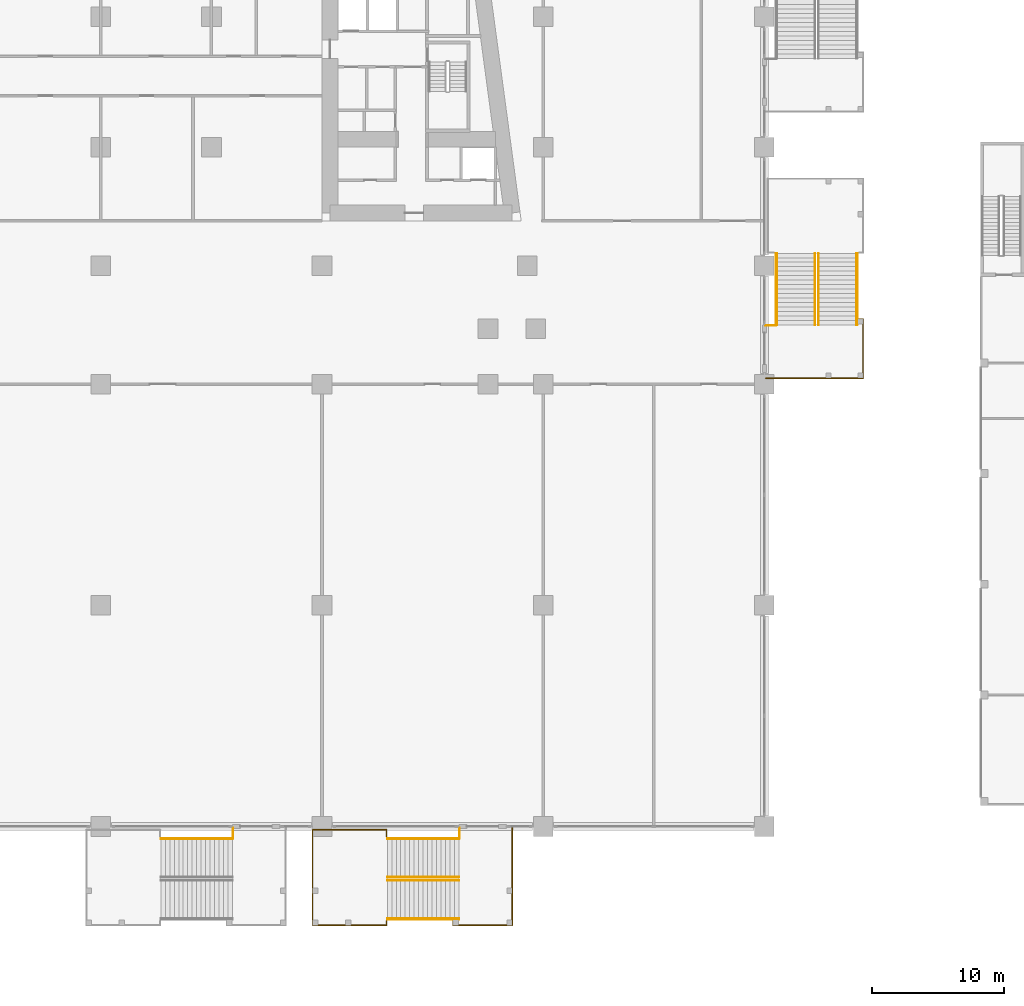
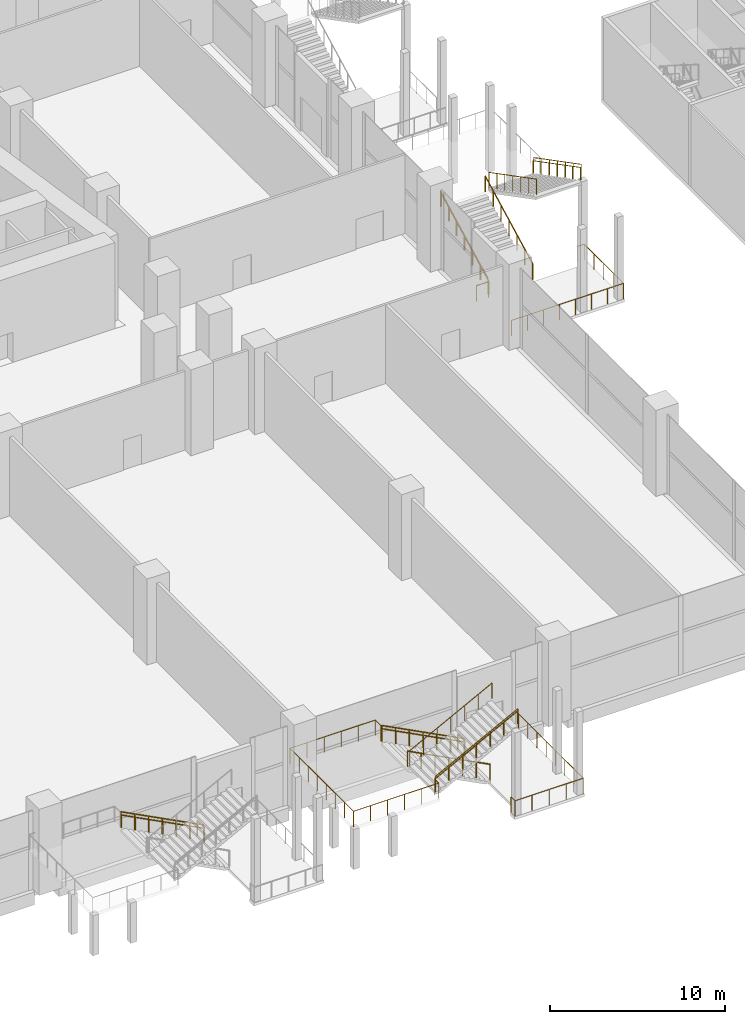
# One storey, part 38 of 49: 20 railings.
"""IFC4 building model written with IfcOpenShell, lengths in metres."""

import ifcopenshell
import ifcopenshell.guid

model = None  # the IFC model being written
_history = None  # IfcOwnerHistory: only IFC2X3 demands one
_inside = {}  # id of a spatial element -> (the spatial element, [elements in it])
_under = {}  # id of a project, library or spatial element -> (it, [spatial elements below it])
_declared = {}  # id of a project -> (the project, [libraries it declares])
_typed = {}  # id of a type object -> (the type object, [elements of that type])
_made_of = {}  # id of a material, layer set ... -> (it, [elements and type objects made of it])


def new_model(schema):
    """Start an empty IFC model of exactly this schema.

    Asked for "IFC4X3", IfcOpenShell would pick the latest addendum, in which some entities
    have other attributes; the version numbers below select the first issue.
    IFC2X3 requires an IfcOwnerHistory on every rooted entity: one is made here for all.
    """
    global model, _history
    if schema == "IFC4X3":
        model = ifcopenshell.file(schema_version=(4, 3, 0, 0))
    else:
        model = ifcopenshell.file(schema=schema)
    _inside.clear()
    _under.clear()
    _declared.clear()
    _typed.clear()
    _made_of.clear()
    _history = None
    if model.schema == "IFC2X3":
        org = make("IfcOrganization", Name="unknown")
        user = make(
            "IfcPersonAndOrganization",
            ThePerson=make("IfcPerson", FamilyName="unknown"),
            TheOrganization=org,
        )
        app = make(
            "IfcApplication",
            ApplicationDeveloper=org,
            Version="unknown",
            ApplicationFullName="unknown",
            ApplicationIdentifier="unknown",
        )
        _history = make(
            "IfcOwnerHistory",
            OwningUser=user,
            OwningApplication=app,
            ChangeAction="ADDED",
            CreationDate=0,
        )
    return model


def make(cls, **values):
    """One entity of the class cls with the attributes given. An attribute that is None is left unset."""
    return model.create_entity(
        cls, **{name: value for name, value in values.items() if value is not None}
    )


def rooted(cls, **values):
    """An entity with a GlobalId (a new one), such as an element, a storey or a relation."""
    return make(cls, GlobalId=ifcopenshell.guid.new(), OwnerHistory=_history, **values)


def si_unit(unit_type, name, prefix=None):
    """IfcSIUnit, for example si_unit("LENGTHUNIT", "METRE", prefix="MILLI")."""
    return make("IfcSIUnit", UnitType=unit_type, Prefix=prefix, Name=name)


def assignment(units):
    """IfcUnitAssignment: the units of a project."""
    return None if units is None else make("IfcUnitAssignment", Units=units)


def point(xyz):
    """IfcCartesianPoint."""
    return None if xyz is None else make("IfcCartesianPoint", Coordinates=xyz)


def direction(xyz):
    """IfcDirection."""
    return None if xyz is None else make("IfcDirection", DirectionRatios=xyz)


def frame(location, z_axis=None, x_axis=None):
    """IfcAxis2Placement3D, a coordinate frame: its origin and axes. An axis left out is left unset."""
    return make(
        "IfcAxis2Placement3D",
        Location=point(location),
        Axis=direction(z_axis),
        RefDirection=direction(x_axis),
    )


def frame_2d(location, x_axis=None):
    """IfcAxis2Placement2D, a coordinate frame in the plane: its origin and x axis."""
    return make(
        "IfcAxis2Placement2D", Location=point(location), RefDirection=direction(x_axis)
    )


def origin():
    """The frame at (0, 0, 0) with its axes left unset."""
    return frame((0.0, 0.0, 0.0))


def origin_2d():
    """The frame at (0, 0) in the plane with its x axis left unset."""
    return frame_2d((0.0, 0.0))


def place(relative_to, where):
    """IfcLocalPlacement: puts the frame where relative to a parent placement (None: the world)."""
    return make(
        "IfcLocalPlacement", PlacementRelTo=relative_to, RelativePlacement=where
    )


def context(
    kind, dimensions, precision=None, world=None, true_north=None, identifier=None
):
    """IfcGeometricRepresentationContext, for example the 3D "Model" context."""
    return make(
        "IfcGeometricRepresentationContext",
        ContextIdentifier=identifier,
        ContextType=kind,
        CoordinateSpaceDimension=dimensions,
        Precision=precision,
        WorldCoordinateSystem=world,
        TrueNorth=true_north,
    )


def subcontext(parent, identifier, kind, view, scale=None):
    """IfcGeometricRepresentationSubContext, for example "Body" below "Model"."""
    return make(
        "IfcGeometricRepresentationSubContext",
        ContextIdentifier=identifier,
        ContextType=kind,
        ParentContext=parent,
        TargetScale=scale,
        TargetView=view,
    )


def project(units=None, contexts=None):
    """IfcProject with its units and contexts."""
    return rooted(
        "IfcProject",
        Name="project",
        RepresentationContexts=contexts,
        UnitsInContext=assignment(units),
    )


def spatial(cls, under=None, at=None, **own):
    """A site, building, storey or space (cls), placed at a placement, below another one or the project."""
    s = rooted(cls, ObjectPlacement=at, **own)
    if under is not None:
        _under.setdefault(under.id(), (under, []))[1].append(s)
    return s


def profile(cls, at=None, kind="AREA", **sizes):
    """A parametric profile (cls). Its sizes go by their IFC names, for example OverallWidth=200.0."""
    return make(cls, ProfileType=kind, Position=at, **sizes)


def circle(**sizes):
    """IfcCircleProfileDef."""
    return profile("IfcCircleProfileDef", **sizes)


def extrude(swept, where, along, depth):
    """IfcExtrudedAreaSolid: the profile swept, set in the frame where, extruded along a direction by depth."""
    return make(
        "IfcExtrudedAreaSolid",
        SweptArea=swept,
        Position=where,
        ExtrudedDirection=direction(along),
        Depth=depth,
    )


def shape(context_of_items, identifier, shape_type, items):
    """IfcShapeRepresentation: the items that make up one representation, for example the "Body"."""
    return make(
        "IfcShapeRepresentation",
        ContextOfItems=context_of_items,
        RepresentationIdentifier=identifier,
        RepresentationType=shape_type,
        Items=items,
    )


def material(Name=None, Category=None):
    """IfcMaterial."""
    return make("IfcMaterial", Name=Name, Category=Category)


def made_of(thing, what):
    """Note that an element or type object is made of a material, layer set ...; save() writes the relation."""
    if what is not None:
        _made_of.setdefault(what.id(), (what, []))[1].append(thing)
    return thing


def type_object(cls, material=None, **own):
    """A type object (cls), such as IfcWallType, which elements share."""
    return made_of(rooted(cls, **own), material)


def element(
    cls,
    number,
    at=None,
    inside=None,
    cuts=None,
    type_object=None,
    material=None,
    context=None,
    identifier="Body",
    shape_type=None,
    held_by="IfcProductDefinitionShape",
    body=None,
    shapes=None,
    **own,
):
    """One element of the class cls, such as IfcWall. Its Tag is "e" and its number.

    at: its placement. inside: the storey or other place that contains it. cuts: it is an
    opening in that element (IfcRelVoidsElement). A single representation is given by context,
    identifier, shape_type and body (its items); several are given by shapes. held_by: the class
    of the entity that holds the representations. save() writes the other relations.
    """
    e = rooted(cls, Tag="e%d" % number, ObjectPlacement=at, **own)
    if body is not None:
        shapes = [shape(context, identifier, shape_type, body)]
    if shapes is not None:
        e.Representation = make(held_by, Representations=shapes)
    if inside is not None:
        _inside.setdefault(inside.id(), (inside, []))[1].append(e)
    if cuts is not None:
        rooted(
            "IfcRelVoidsElement", RelatingBuildingElement=cuts, RelatedOpeningElement=e
        )
    if type_object is not None:
        _typed.setdefault(type_object.id(), (type_object, []))[1].append(e)
    return made_of(e, material)


def aggregate(whole, parts):
    """IfcRelAggregates: a whole, such as a stair, and the parts it consists of."""
    return rooted("IfcRelAggregates", RelatingObject=whole, RelatedObjects=parts)


def save(model, path):
    """Write the relations noted so far, then the file.

    IfcRelAggregates (storeys below a building ...), IfcRelContainedInSpatialStructure (elements
    in a storey), IfcRelDefinesByType, IfcRelAssociatesMaterial and IfcRelDeclares: one each for
    every whole, place, type object, material and project.
    """
    for whole, parts in _under.values():
        aggregate(whole, parts)
    for where, things in _inside.values():
        rooted(
            "IfcRelContainedInSpatialStructure",
            RelatedElements=things,
            RelatingStructure=where,
        )
    for kind, things in _typed.values():
        rooted("IfcRelDefinesByType", RelatedObjects=things, RelatingType=kind)
    for what, things in _made_of.values():
        rooted("IfcRelAssociatesMaterial", RelatedObjects=things, RelatingMaterial=what)
    for by, libraries in _declared.values():
        rooted("IfcRelDeclares", RelatingContext=by, RelatedDefinitions=libraries)
    model.write(path)


model = new_model("IFC4")

# Units and contexts
model_context = context("Model", 3, precision=1e-05, world=origin(), true_north=direction((0.0, 1.0)))
body_context = subcontext(model_context, "Body", "Model", "MODEL_VIEW")
ifc_project = project(units=[si_unit("LENGTHUNIT", "METRE"), si_unit("AREAUNIT", "SQUARE_METRE"), si_unit("VOLUMEUNIT", "CUBIC_METRE"), si_unit("PLANEANGLEUNIT", "RADIAN"), si_unit("MASSUNIT", "GRAM", prefix="KILO")], contexts=[model_context])

# Site, building, storey
site_placement = place(None, origin())
site = spatial("IfcSite", under=ifc_project, at=site_placement, CompositionType="ELEMENT")
building_placement = place(site_placement, origin())
building = spatial("IfcBuilding", under=site, at=building_placement, Name="Candeia Pilgrim Tower and Theatre", CompositionType="ELEMENT")
storey_placement = place(building_placement, frame((0.0, 0.0, 17.0)))
storey = spatial("IfcBuildingStorey", under=building, at=storey_placement, Name="L02", CompositionType="ELEMENT", Elevation=17.0)

# Railings
ifc_material_1 = material(Name="Stainless steel balustrade", Category="steel")
railing_type_1 = type_object("IfcRailingType", Name="RL-GUARD-1100", PredefinedType="GUARDRAIL", material=ifc_material_1)
railing_1_placement = place(storey_placement, frame((163.449951171875, 102.5, 0.176513671875)))
element("IfcRailing", 1, at=railing_1_placement, inside=storey, type_object=railing_type_1, Name="L02 ES1 stair guard 1", PredefinedType="GUARDRAIL", context=body_context, shape_type="SweptSolid", body=[
    extrude(circle(Radius=0.02392578125, at=origin_2d()), frame((0.0, 0.0, 1.076171875), z_axis=(0.0, 0.887569374008, 0.460674078198), x_axis=(-1.0, 0.0, 0.0)), (0.0, 0.0, 1.0), 6.129150390625),
    extrude(circle(Radius=0.02099609375, at=origin_2d()), origin(), (0.0, 0.0, 1.0), 1.052001953125),
    extrude(circle(Radius=0.02099609375, at=origin_2d()), frame((0.0, 0.90673828125, 0.470703125)), (0.0, 0.0, 1.0), 1.052001953125),
    extrude(circle(Radius=0.02099609375, at=origin_2d()), frame((0.0, 1.813232421875, 0.941162109375)), (0.0, 0.0, 1.0), 1.052001953125),
    extrude(circle(Radius=0.02099609375, at=origin_2d()), frame((0.0, 2.719970703125, 1.41162109375)), (0.0, 0.0, 1.0), 1.052001953125),
    extrude(circle(Radius=0.02099609375, at=origin_2d()), frame((0.0, 3.626708984375, 1.88232421875)), (0.0, 0.0, 1.0), 1.052001953125),
    extrude(circle(Radius=0.02099609375, at=origin_2d()), frame((0.0, 4.533203125, 2.35302734375)), (0.0, 0.0, 1.0), 1.052001953125),
    extrude(circle(Radius=0.02099609375, at=origin_2d()), frame((0.0, 5.43994140625, 2.823486328125)), (0.0, 0.0, 1.0), 1.052001953125),
])
railing_2_placement = place(storey_placement, frame((163.699951171875, 107.93994140625, 3.176513671875)))
element("IfcRailing", 2, at=railing_2_placement, inside=storey, type_object=railing_type_1, Name="L02 ES1 stair guard 2", PredefinedType="GUARDRAIL", context=body_context, shape_type="SweptSolid", body=[
    extrude(circle(Radius=0.02392578125, at=origin_2d()), frame((0.0, 0.0, 1.076171875), z_axis=(0.0, -0.887569374008, 0.460674078198), x_axis=(1.0, 0.0, 0.0)), (0.0, 0.0, 1.0), 6.129150390625),
    extrude(circle(Radius=0.02099609375, at=origin_2d()), origin(), (0.0, 0.0, 1.0), 1.052001953125),
    extrude(circle(Radius=0.02099609375, at=origin_2d()), frame((0.0, -0.90673828125, 0.470703125)), (0.0, 0.0, 1.0), 1.052001953125),
    extrude(circle(Radius=0.02099609375, at=origin_2d()), frame((0.0, -1.813232421875, 0.941162109375)), (0.0, 0.0, 1.0), 1.052001953125),
    extrude(circle(Radius=0.02099609375, at=origin_2d()), frame((0.0, -2.719970703125, 1.41162109375)), (0.0, 0.0, 1.0), 1.052001953125),
    extrude(circle(Radius=0.02099609375, at=origin_2d()), frame((0.0, -3.626708984375, 1.88232421875)), (0.0, 0.0, 1.0), 1.052001953125),
    extrude(circle(Radius=0.02099609375, at=origin_2d()), frame((0.0, -4.533203125, 2.35302734375)), (0.0, 0.0, 1.0), 1.052001953125),
    extrude(circle(Radius=0.02099609375, at=origin_2d()), frame((0.0, -5.43994140625, 2.823486328125)), (0.0, 0.0, 1.0), 1.052001953125),
])
railing_3_placement = place(storey_placement, frame((160.5, 102.5, 0.176513671875)))
element("IfcRailing", 3, at=railing_3_placement, inside=storey, type_object=railing_type_1, Name="L02 ES1 stair guard 3", PredefinedType="GUARDRAIL", context=body_context, shape_type="SweptSolid", body=[
    extrude(circle(Radius=0.02392578125, at=origin_2d()), frame((0.0, 0.0, 1.076171875), z_axis=(0.0, 0.887569374008, 0.460674078198), x_axis=(-1.0, 0.0, 0.0)), (0.0, 0.0, 1.0), 6.129150390625),
    extrude(circle(Radius=0.02099609375, at=origin_2d()), origin(), (0.0, 0.0, 1.0), 1.052001953125),
    extrude(circle(Radius=0.02099609375, at=origin_2d()), frame((0.0, 0.90673828125, 0.470703125)), (0.0, 0.0, 1.0), 1.052001953125),
    extrude(circle(Radius=0.02099609375, at=origin_2d()), frame((0.0, 1.813232421875, 0.941162109375)), (0.0, 0.0, 1.0), 1.052001953125),
    extrude(circle(Radius=0.02099609375, at=origin_2d()), frame((0.0, 2.719970703125, 1.41162109375)), (0.0, 0.0, 1.0), 1.052001953125),
    extrude(circle(Radius=0.02099609375, at=origin_2d()), frame((0.0, 3.626708984375, 1.88232421875)), (0.0, 0.0, 1.0), 1.052001953125),
    extrude(circle(Radius=0.02099609375, at=origin_2d()), frame((0.0, 4.533203125, 2.35302734375)), (0.0, 0.0, 1.0), 1.052001953125),
    extrude(circle(Radius=0.02099609375, at=origin_2d()), frame((0.0, 5.43994140625, 2.823486328125)), (0.0, 0.0, 1.0), 1.052001953125),
])
railing_4_placement = place(storey_placement, frame((166.64990234375, 107.93994140625, 3.176513671875)))
element("IfcRailing", 4, at=railing_4_placement, inside=storey, type_object=railing_type_1, Name="L02 ES1 stair guard 4", PredefinedType="GUARDRAIL", context=body_context, shape_type="SweptSolid", body=[
    extrude(circle(Radius=0.02392578125, at=origin_2d()), frame((0.0, 0.0, 1.076171875), z_axis=(0.0, -0.887569374008, 0.460674078198), x_axis=(1.0, 0.0, 0.0)), (0.0, 0.0, 1.0), 6.129150390625),
    extrude(circle(Radius=0.02099609375, at=origin_2d()), origin(), (0.0, 0.0, 1.0), 1.052001953125),
    extrude(circle(Radius=0.02099609375, at=origin_2d()), frame((0.0, -0.90673828125, 0.470703125)), (0.0, 0.0, 1.0), 1.052001953125),
    extrude(circle(Radius=0.02099609375, at=origin_2d()), frame((0.0, -1.813232421875, 0.941162109375)), (0.0, 0.0, 1.0), 1.052001953125),
    extrude(circle(Radius=0.02099609375, at=origin_2d()), frame((0.0, -2.719970703125, 1.41162109375)), (0.0, 0.0, 1.0), 1.052001953125),
    extrude(circle(Radius=0.02099609375, at=origin_2d()), frame((0.0, -3.626708984375, 1.88232421875)), (0.0, 0.0, 1.0), 1.052001953125),
    extrude(circle(Radius=0.02099609375, at=origin_2d()), frame((0.0, -4.533203125, 2.35302734375)), (0.0, 0.0, 1.0), 1.052001953125),
    extrude(circle(Radius=0.02099609375, at=origin_2d()), frame((0.0, -5.43994140625, 2.823486328125)), (0.0, 0.0, 1.0), 1.052001953125),
])
railing_5_placement = place(storey_placement, frame((159.699951171875, 98.449951171875, 0.0)))
element("IfcRailing", 5, at=railing_5_placement, inside=storey, type_object=railing_type_1, Name="L02 External escape stair ES1 landing guard", PredefinedType="GUARDRAIL", context=body_context, shape_type="SweptSolid", body=[
    extrude(circle(Radius=0.02392578125, at=origin_2d()), frame((0.0, 0.0, 1.076171875), z_axis=(1.0, 0.0, 0.0), x_axis=(0.0, 1.0, 0.0)), (0.0, 0.0, 1.0), 7.400146484375),
    extrude(circle(Radius=0.02392578125, at=origin_2d()), frame((7.400146484375, 0.0, 1.076171875), z_axis=(0.0, 1.0, 0.0), x_axis=(-1.0, 0.0, 0.0)), (0.0, 0.0, 1.0), 4.5),
    extrude(circle(Radius=0.02392578125, at=origin_2d()), frame((7.400146484375, 4.5, 1.076171875), z_axis=(-1.0, 0.0, 0.0), x_axis=(0.0, -1.0, 0.0)), (0.0, 0.0, 1.0), 0.4501953125),
    extrude(circle(Radius=0.02099609375, at=origin_2d()), origin(), (0.0, 0.0, 1.0), 1.052001953125),
    extrude(circle(Radius=0.02099609375, at=origin_2d()), frame((1.05712890625, 0.0, 0.0)), (0.0, 0.0, 1.0), 1.052001953125),
    extrude(circle(Radius=0.02099609375, at=origin_2d()), frame((2.1142578125, 0.0, 0.0)), (0.0, 0.0, 1.0), 1.052001953125),
    extrude(circle(Radius=0.02099609375, at=origin_2d()), frame((3.17138671875, 0.0, 0.0)), (0.0, 0.0, 1.0), 1.052001953125),
    extrude(circle(Radius=0.02099609375, at=origin_2d()), frame((4.228759765625, 0.0, 0.0)), (0.0, 0.0, 1.0), 1.052001953125),
    extrude(circle(Radius=0.02099609375, at=origin_2d()), frame((5.285888671875, 0.0, 0.0)), (0.0, 0.0, 1.0), 1.052001953125),
    extrude(circle(Radius=0.02099609375, at=origin_2d()), frame((6.343017578125, 0.0, 0.0)), (0.0, 0.0, 1.0), 1.052001953125),
    extrude(circle(Radius=0.02099609375, at=origin_2d()), frame((7.400146484375, 0.0, 0.0)), (0.0, 0.0, 1.0), 1.052001953125),
    extrude(circle(Radius=0.02099609375, at=origin_2d()), frame((7.400146484375, 1.125, 0.0)), (0.0, 0.0, 1.0), 1.052001953125),
    extrude(circle(Radius=0.02099609375, at=origin_2d()), frame((7.400146484375, 2.25, 0.0)), (0.0, 0.0, 1.0), 1.052001953125),
    extrude(circle(Radius=0.02099609375, at=origin_2d()), frame((7.400146484375, 3.375, 0.0)), (0.0, 0.0, 1.0), 1.052001953125),
    extrude(circle(Radius=0.02099609375, at=origin_2d()), frame((7.400146484375, 4.5, 0.0)), (0.0, 0.0, 1.0), 1.052001953125),
    extrude(circle(Radius=0.02099609375, at=origin_2d()), frame((6.949951171875, 4.5, 0.0)), (0.0, 0.0, 1.0), 1.052001953125),
])
railing_6_placement = place(storey_placement, frame((159.699951171875, 102.449951171875, 0.0)))
element("IfcRailing", 6, at=railing_6_placement, inside=storey, type_object=railing_type_1, Name="L02 External escape stair ES1 bridge guard", PredefinedType="GUARDRAIL", context=body_context, shape_type="SweptSolid", body=[
    extrude(circle(Radius=0.02392578125, at=origin_2d()), frame((0.0, 0.0, 1.076171875), z_axis=(1.0, 0.0, 0.0), x_axis=(0.0, 1.0, 0.0)), (0.0, 0.0, 1.0), 0.800048828125),
    extrude(circle(Radius=0.02099609375, at=origin_2d()), origin(), (0.0, 0.0, 1.0), 1.052001953125),
    extrude(circle(Radius=0.02099609375, at=origin_2d()), frame((0.800048828125, 0.0, 0.0)), (0.0, 0.0, 1.0), 1.052001953125),
])
railing_7_placement = place(storey_placement, frame((119.199951171875, 63.5, 0.176513671875)))
element("IfcRailing", 7, at=railing_7_placement, inside=storey, type_object=railing_type_1, Name="L02 ES9 stair guard 3", PredefinedType="GUARDRAIL", context=body_context, shape_type="SweptSolid", body=[
    extrude(circle(Radius=0.02392578125, at=origin_2d()), frame((0.0, 0.0, 1.076171875), z_axis=(-0.887569374008, 0.0, 0.460674078198), x_axis=(0.0, -1.0, 0.0)), (0.0, 0.0, 1.0), 6.129150390625),
    extrude(circle(Radius=0.02099609375, at=origin_2d()), origin(), (0.0, 0.0, 1.0), 1.052001953125),
    extrude(circle(Radius=0.02099609375, at=origin_2d()), frame((-0.90673828125, 0.0, 0.470703125)), (0.0, 0.0, 1.0), 1.052001953125),
    extrude(circle(Radius=0.02099609375, at=origin_2d()), frame((-1.813232421875, 0.0, 0.941162109375)), (0.0, 0.0, 1.0), 1.052001953125),
    extrude(circle(Radius=0.02099609375, at=origin_2d()), frame((-2.719970703125, 0.0, 1.41162109375)), (0.0, 0.0, 1.0), 1.052001953125),
    extrude(circle(Radius=0.02099609375, at=origin_2d()), frame((-3.626708984375, 0.0, 1.88232421875)), (0.0, 0.0, 1.0), 1.052001953125),
    extrude(circle(Radius=0.02099609375, at=origin_2d()), frame((-4.533203125, 0.0, 2.35302734375)), (0.0, 0.0, 1.0), 1.052001953125),
    extrude(circle(Radius=0.02099609375, at=origin_2d()), frame((-5.43994140625, 0.0, 2.823486328125)), (0.0, 0.0, 1.0), 1.052001953125),
])
railing_8_placement = place(storey_placement, frame((119.25, 64.300048828125, 0.0)))
element("IfcRailing", 8, at=railing_8_placement, inside=storey, type_object=railing_type_1, Name="L02 External escape stair ES9 bridge guard", PredefinedType="GUARDRAIL", context=body_context, shape_type="SweptSolid", body=[
    extrude(circle(Radius=0.02392578125, at=origin_2d()), frame((0.0, 0.0, 1.076171875), z_axis=(0.0, -1.0, 0.0), x_axis=(1.0, 0.0, 0.0)), (0.0, 0.0, 1.0), 0.800048828125),
    extrude(circle(Radius=0.02099609375, at=origin_2d()), origin(), (0.0, 0.0, 1.0), 1.052001953125),
    extrude(circle(Radius=0.02099609375, at=origin_2d()), frame((0.0, -0.800048828125, 0.0)), (0.0, 0.0, 1.0), 1.052001953125),
])
railing_9_placement = place(storey_placement, frame((136.39990234375, 60.550048828125, 0.176513671875)))
element("IfcRailing", 9, at=railing_9_placement, inside=storey, type_object=railing_type_1, Name="L02 ES16 stair guard 1", PredefinedType="GUARDRAIL", context=body_context, shape_type="SweptSolid", body=[
    extrude(circle(Radius=0.02392578125, at=origin_2d()), frame((0.0, 0.0, 1.076171875), z_axis=(-0.887569374008, 0.0, 0.460674078198), x_axis=(0.0, -1.0, 0.0)), (0.0, 0.0, 1.0), 6.129150390625),
    extrude(circle(Radius=0.02099609375, at=origin_2d()), origin(), (0.0, 0.0, 1.0), 1.052001953125),
    extrude(circle(Radius=0.02099609375, at=origin_2d()), frame((-0.90673828125, 0.0, 0.470703125)), (0.0, 0.0, 1.0), 1.052001953125),
    extrude(circle(Radius=0.02099609375, at=origin_2d()), frame((-1.813232421875, 0.0, 0.941162109375)), (0.0, 0.0, 1.0), 1.052001953125),
    extrude(circle(Radius=0.02099609375, at=origin_2d()), frame((-2.719970703125, 0.0, 1.41162109375)), (0.0, 0.0, 1.0), 1.052001953125),
    extrude(circle(Radius=0.02099609375, at=origin_2d()), frame((-3.626708984375, 0.0, 1.88232421875)), (0.0, 0.0, 1.0), 1.052001953125),
    extrude(circle(Radius=0.02099609375, at=origin_2d()), frame((-4.533203125, 0.0, 2.35302734375)), (0.0, 0.0, 1.0), 1.052001953125),
    extrude(circle(Radius=0.02099609375, at=origin_2d()), frame((-5.43994140625, 0.0, 2.823486328125)), (0.0, 0.0, 1.0), 1.052001953125),
])
railing_10_placement = place(storey_placement, frame((130.9599609375, 60.300048828125, 3.176513671875)))
element("IfcRailing", 10, at=railing_10_placement, inside=storey, type_object=railing_type_1, Name="L02 ES16 stair guard 2", PredefinedType="GUARDRAIL", context=body_context, shape_type="SweptSolid", body=[
    extrude(circle(Radius=0.02392578125, at=origin_2d()), frame((0.0, 0.0, 1.076171875), z_axis=(0.887569374008, 0.0, 0.460674078198), x_axis=(0.0, 1.0, 0.0)), (0.0, 0.0, 1.0), 6.129150390625),
    extrude(circle(Radius=0.02099609375, at=origin_2d()), origin(), (0.0, 0.0, 1.0), 1.052001953125),
    extrude(circle(Radius=0.02099609375, at=origin_2d()), frame((0.90673828125, 0.0, 0.470703125)), (0.0, 0.0, 1.0), 1.052001953125),
    extrude(circle(Radius=0.02099609375, at=origin_2d()), frame((1.813232421875, 0.0, 0.941162109375)), (0.0, 0.0, 1.0), 1.052001953125),
    extrude(circle(Radius=0.02099609375, at=origin_2d()), frame((2.719970703125, 0.0, 1.41162109375)), (0.0, 0.0, 1.0), 1.052001953125),
    extrude(circle(Radius=0.02099609375, at=origin_2d()), frame((3.626708984375, 0.0, 1.88232421875)), (0.0, 0.0, 1.0), 1.052001953125),
    extrude(circle(Radius=0.02099609375, at=origin_2d()), frame((4.533203125, 0.0, 2.35302734375)), (0.0, 0.0, 1.0), 1.052001953125),
    extrude(circle(Radius=0.02099609375, at=origin_2d()), frame((5.43994140625, 0.0, 2.823486328125)), (0.0, 0.0, 1.0), 1.052001953125),
])
railing_11_placement = place(storey_placement, frame((136.39990234375, 63.5, 0.176513671875)))
element("IfcRailing", 11, at=railing_11_placement, inside=storey, type_object=railing_type_1, Name="L02 ES16 stair guard 3", PredefinedType="GUARDRAIL", context=body_context, shape_type="SweptSolid", body=[
    extrude(circle(Radius=0.02392578125, at=origin_2d()), frame((0.0, 0.0, 1.076171875), z_axis=(-0.887569374008, 0.0, 0.460674078198), x_axis=(0.0, -1.0, 0.0)), (0.0, 0.0, 1.0), 6.129150390625),
    extrude(circle(Radius=0.02099609375, at=origin_2d()), origin(), (0.0, 0.0, 1.0), 1.052001953125),
    extrude(circle(Radius=0.02099609375, at=origin_2d()), frame((-0.90673828125, 0.0, 0.470703125)), (0.0, 0.0, 1.0), 1.052001953125),
    extrude(circle(Radius=0.02099609375, at=origin_2d()), frame((-1.813232421875, 0.0, 0.941162109375)), (0.0, 0.0, 1.0), 1.052001953125),
    extrude(circle(Radius=0.02099609375, at=origin_2d()), frame((-2.719970703125, 0.0, 1.41162109375)), (0.0, 0.0, 1.0), 1.052001953125),
    extrude(circle(Radius=0.02099609375, at=origin_2d()), frame((-3.626708984375, 0.0, 1.88232421875)), (0.0, 0.0, 1.0), 1.052001953125),
    extrude(circle(Radius=0.02099609375, at=origin_2d()), frame((-4.533203125, 0.0, 2.35302734375)), (0.0, 0.0, 1.0), 1.052001953125),
    extrude(circle(Radius=0.02099609375, at=origin_2d()), frame((-5.43994140625, 0.0, 2.823486328125)), (0.0, 0.0, 1.0), 1.052001953125),
])
railing_12_placement = place(storey_placement, frame((130.9599609375, 57.35009765625, 3.176513671875)))
element("IfcRailing", 12, at=railing_12_placement, inside=storey, type_object=railing_type_1, Name="L02 ES16 stair guard 4", PredefinedType="GUARDRAIL", context=body_context, shape_type="SweptSolid", body=[
    extrude(circle(Radius=0.02392578125, at=origin_2d()), frame((0.0, 0.0, 1.076171875), z_axis=(0.887569374008, 0.0, 0.460674078198), x_axis=(0.0, 1.0, 0.0)), (0.0, 0.0, 1.0), 6.129150390625),
    extrude(circle(Radius=0.02099609375, at=origin_2d()), origin(), (0.0, 0.0, 1.0), 1.052001953125),
    extrude(circle(Radius=0.02099609375, at=origin_2d()), frame((0.90673828125, 0.0, 0.470703125)), (0.0, 0.0, 1.0), 1.052001953125),
    extrude(circle(Radius=0.02099609375, at=origin_2d()), frame((1.813232421875, 0.0, 0.941162109375)), (0.0, 0.0, 1.0), 1.052001953125),
    extrude(circle(Radius=0.02099609375, at=origin_2d()), frame((2.719970703125, 0.0, 1.41162109375)), (0.0, 0.0, 1.0), 1.052001953125),
    extrude(circle(Radius=0.02099609375, at=origin_2d()), frame((3.626708984375, 0.0, 1.88232421875)), (0.0, 0.0, 1.0), 1.052001953125),
    extrude(circle(Radius=0.02099609375, at=origin_2d()), frame((4.533203125, 0.0, 2.35302734375)), (0.0, 0.0, 1.0), 1.052001953125),
    extrude(circle(Radius=0.02099609375, at=origin_2d()), frame((5.43994140625, 0.0, 2.823486328125)), (0.0, 0.0, 1.0), 1.052001953125),
])
railing_13_placement = place(storey_placement, frame((130.909912109375, 63.5, 3.0)))
element("IfcRailing", 13, at=railing_13_placement, inside=storey, type_object=railing_type_1, Name="L02 ES16 stair guard 5", PredefinedType="GUARDRAIL", context=body_context, shape_type="SweptSolid", body=[
    extrude(circle(Radius=0.02392578125, at=origin_2d()), frame((0.0, 0.0, 1.076171875), z_axis=(0.0, 1.0, 0.0), x_axis=(-1.0, 0.0, 0.0)), (0.0, 0.0, 1.0), 0.64990234375),
    extrude(circle(Radius=0.02392578125, at=origin_2d()), frame((0.0, 0.64990234375, 1.076171875), z_axis=(-1.0, 0.0, 0.0), x_axis=(0.0, -1.0, 0.0)), (0.0, 0.0, 1.0), 5.619873046875),
    extrude(circle(Radius=0.02392578125, at=origin_2d()), frame((-5.619873046875, 0.64990234375, 1.076171875), z_axis=(0.0, -1.0, 0.0), x_axis=(1.0, 0.0, 0.0)), (0.0, 0.0, 1.0), 7.25),
    extrude(circle(Radius=0.02392578125, at=origin_2d()), frame((-5.619873046875, -6.60009765625, 1.076171875), z_axis=(1.0, 0.0, 0.0), x_axis=(0.0, 1.0, 0.0)), (0.0, 0.0, 1.0), 5.619873046875),
    extrude(circle(Radius=0.02392578125, at=origin_2d()), frame((0.0, -6.60009765625, 1.076171875), z_axis=(0.0, 1.0, 0.0), x_axis=(-1.0, 0.0, 0.0)), (0.0, 0.0, 1.0), 0.4501953125),
    extrude(circle(Radius=0.02099609375, at=origin_2d()), origin(), (0.0, 0.0, 1.0), 1.052001953125),
    extrude(circle(Radius=0.02099609375, at=origin_2d()), frame((0.0, 0.64990234375, 0.0)), (0.0, 0.0, 1.0), 1.052001953125),
    extrude(circle(Radius=0.02099609375, at=origin_2d()), frame((-1.1240234375, 0.64990234375, 0.0)), (0.0, 0.0, 1.0), 1.052001953125),
    extrude(circle(Radius=0.02099609375, at=origin_2d()), frame((-2.248046875, 0.64990234375, 0.0)), (0.0, 0.0, 1.0), 1.052001953125),
    extrude(circle(Radius=0.02099609375, at=origin_2d()), frame((-3.371826171875, 0.64990234375, 0.0)), (0.0, 0.0, 1.0), 1.052001953125),
    extrude(circle(Radius=0.02099609375, at=origin_2d()), frame((-4.495849609375, 0.64990234375, 0.0)), (0.0, 0.0, 1.0), 1.052001953125),
    extrude(circle(Radius=0.02099609375, at=origin_2d()), frame((-5.619873046875, 0.64990234375, 0.0)), (0.0, 0.0, 1.0), 1.052001953125),
    extrude(circle(Radius=0.02099609375, at=origin_2d()), frame((-5.619873046875, -0.3857421875, 0.0)), (0.0, 0.0, 1.0), 1.052001953125),
    extrude(circle(Radius=0.02099609375, at=origin_2d()), frame((-5.619873046875, -1.421630859375, 0.0)), (0.0, 0.0, 1.0), 1.052001953125),
    extrude(circle(Radius=0.02099609375, at=origin_2d()), frame((-5.619873046875, -2.457275390625, 0.0)), (0.0, 0.0, 1.0), 1.052001953125),
    extrude(circle(Radius=0.02099609375, at=origin_2d()), frame((-5.619873046875, -3.492919921875, 0.0)), (0.0, 0.0, 1.0), 1.052001953125),
    extrude(circle(Radius=0.02099609375, at=origin_2d()), frame((-5.619873046875, -4.528564453125, 0.0)), (0.0, 0.0, 1.0), 1.052001953125),
    extrude(circle(Radius=0.02099609375, at=origin_2d()), frame((-5.619873046875, -5.564453125, 0.0)), (0.0, 0.0, 1.0), 1.052001953125),
    extrude(circle(Radius=0.02099609375, at=origin_2d()), frame((-5.619873046875, -6.60009765625, 0.0)), (0.0, 0.0, 1.0), 1.052001953125),
    extrude(circle(Radius=0.02099609375, at=origin_2d()), frame((-4.495849609375, -6.60009765625, 0.0)), (0.0, 0.0, 1.0), 1.052001953125),
    extrude(circle(Radius=0.02099609375, at=origin_2d()), frame((-3.371826171875, -6.60009765625, 0.0)), (0.0, 0.0, 1.0), 1.052001953125),
    extrude(circle(Radius=0.02099609375, at=origin_2d()), frame((-2.248046875, -6.60009765625, 0.0)), (0.0, 0.0, 1.0), 1.052001953125),
    extrude(circle(Radius=0.02099609375, at=origin_2d()), frame((-1.1240234375, -6.60009765625, 0.0)), (0.0, 0.0, 1.0), 1.052001953125),
    extrude(circle(Radius=0.02099609375, at=origin_2d()), frame((0.0, -6.60009765625, 0.0)), (0.0, 0.0, 1.0), 1.052001953125),
    extrude(circle(Radius=0.02099609375, at=origin_2d()), frame((0.0, -6.14990234375, 0.0)), (0.0, 0.0, 1.0), 1.052001953125),
])
railing_14_placement = place(storey_placement, frame((140.449951171875, 64.300048828125, 0.0)))
element("IfcRailing", 14, at=railing_14_placement, inside=storey, type_object=railing_type_1, Name="L02 External escape stair ES16 landing guard", PredefinedType="GUARDRAIL", context=body_context, shape_type="SweptSolid", body=[
    extrude(circle(Radius=0.02392578125, at=origin_2d()), frame((0.0, 0.0, 1.076171875), z_axis=(0.0, -1.0, 0.0), x_axis=(1.0, 0.0, 0.0)), (0.0, 0.0, 1.0), 7.400146484375),
    extrude(circle(Radius=0.02392578125, at=origin_2d()), frame((0.0, -7.400146484375, 1.076171875), z_axis=(-1.0, 0.0, 0.0), x_axis=(0.0, -1.0, 0.0)), (0.0, 0.0, 1.0), 4.5),
    extrude(circle(Radius=0.02392578125, at=origin_2d()), frame((-4.5, -7.400146484375, 1.076171875), z_axis=(0.0, 1.0, 0.0), x_axis=(-1.0, 0.0, 0.0)), (0.0, 0.0, 1.0), 0.4501953125),
    extrude(circle(Radius=0.02099609375, at=origin_2d()), origin(), (0.0, 0.0, 1.0), 1.052001953125),
    extrude(circle(Radius=0.02099609375, at=origin_2d()), frame((0.0, -1.05712890625, 0.0)), (0.0, 0.0, 1.0), 1.052001953125),
    extrude(circle(Radius=0.02099609375, at=origin_2d()), frame((0.0, -2.1142578125, 0.0)), (0.0, 0.0, 1.0), 1.052001953125),
    extrude(circle(Radius=0.02099609375, at=origin_2d()), frame((0.0, -3.17138671875, 0.0)), (0.0, 0.0, 1.0), 1.052001953125),
    extrude(circle(Radius=0.02099609375, at=origin_2d()), frame((0.0, -4.228759765625, 0.0)), (0.0, 0.0, 1.0), 1.052001953125),
    extrude(circle(Radius=0.02099609375, at=origin_2d()), frame((0.0, -5.285888671875, 0.0)), (0.0, 0.0, 1.0), 1.052001953125),
    extrude(circle(Radius=0.02099609375, at=origin_2d()), frame((0.0, -6.343017578125, 0.0)), (0.0, 0.0, 1.0), 1.052001953125),
    extrude(circle(Radius=0.02099609375, at=origin_2d()), frame((0.0, -7.400146484375, 0.0)), (0.0, 0.0, 1.0), 1.052001953125),
    extrude(circle(Radius=0.02099609375, at=origin_2d()), frame((-1.125, -7.400146484375, 0.0)), (0.0, 0.0, 1.0), 1.052001953125),
    extrude(circle(Radius=0.02099609375, at=origin_2d()), frame((-2.25, -7.400146484375, 0.0)), (0.0, 0.0, 1.0), 1.052001953125),
    extrude(circle(Radius=0.02099609375, at=origin_2d()), frame((-3.375, -7.400146484375, 0.0)), (0.0, 0.0, 1.0), 1.052001953125),
    extrude(circle(Radius=0.02099609375, at=origin_2d()), frame((-4.5, -7.400146484375, 0.0)), (0.0, 0.0, 1.0), 1.052001953125),
    extrude(circle(Radius=0.02099609375, at=origin_2d()), frame((-4.5, -6.949951171875, 0.0)), (0.0, 0.0, 1.0), 1.052001953125),
])
railing_15_placement = place(storey_placement, frame((136.449951171875, 64.300048828125, 0.0)))
element("IfcRailing", 15, at=railing_15_placement, inside=storey, type_object=railing_type_1, Name="L02 External escape stair ES16 bridge guard", PredefinedType="GUARDRAIL", context=body_context, shape_type="SweptSolid", body=[
    extrude(circle(Radius=0.02392578125, at=origin_2d()), frame((0.0, 0.0, 1.076171875), z_axis=(0.0, -1.0, 0.0), x_axis=(1.0, 0.0, 0.0)), (0.0, 0.0, 1.0), 0.800048828125),
    extrude(circle(Radius=0.02099609375, at=origin_2d()), origin(), (0.0, 0.0, 1.0), 1.052001953125),
    extrude(circle(Radius=0.02099609375, at=origin_2d()), frame((0.0, -0.800048828125, 0.0)), (0.0, 0.0, 1.0), 1.052001953125),
])
ifc_material_2 = material(Name="Stainless steel handrail", Category="steel")
railing_type_2 = type_object("IfcRailingType", Name="RL-HANDRAIL-900", PredefinedType="HANDRAIL", material=ifc_material_2)
railing_16_placement = place(storey_placement, frame((160.550048828125, 102.5, 0.176513671875)))
element("IfcRailing", 16, at=railing_16_placement, inside=storey, type_object=railing_type_2, Name="L02 ES1 stair handrail 1", PredefinedType="HANDRAIL", context=body_context, shape_type="SweptSolid", body=[
    extrude(circle(Radius=0.02392578125, at=origin_2d()), frame((0.0, 0.0, 0.8759765625), z_axis=(0.0, 0.887569374008, 0.460674078198), x_axis=(-1.0, 0.0, 0.0)), (0.0, 0.0, 1.0), 6.129150390625),
    extrude(circle(Radius=0.02099609375, at=origin_2d()), origin(), (0.0, 0.0, 1.0), 0.851806640625),
    extrude(circle(Radius=0.02099609375, at=origin_2d()), frame((0.0, 0.90673828125, 0.470703125)), (0.0, 0.0, 1.0), 0.851806640625),
    extrude(circle(Radius=0.02099609375, at=origin_2d()), frame((0.0, 1.813232421875, 0.941162109375)), (0.0, 0.0, 1.0), 0.851806640625),
    extrude(circle(Radius=0.02099609375, at=origin_2d()), frame((0.0, 2.719970703125, 1.41162109375)), (0.0, 0.0, 1.0), 0.851806640625),
    extrude(circle(Radius=0.02099609375, at=origin_2d()), frame((0.0, 3.626708984375, 1.88232421875)), (0.0, 0.0, 1.0), 0.851806640625),
    extrude(circle(Radius=0.02099609375, at=origin_2d()), frame((0.0, 4.533203125, 2.35302734375)), (0.0, 0.0, 1.0), 0.851806640625),
    extrude(circle(Radius=0.02099609375, at=origin_2d()), frame((0.0, 5.43994140625, 2.823486328125)), (0.0, 0.0, 1.0), 0.851806640625),
])
railing_17_placement = place(storey_placement, frame((166.60009765625, 107.93994140625, 3.176513671875)))
element("IfcRailing", 17, at=railing_17_placement, inside=storey, type_object=railing_type_2, Name="L02 ES1 stair handrail 2", PredefinedType="HANDRAIL", context=body_context, shape_type="SweptSolid", body=[
    extrude(circle(Radius=0.02392578125, at=origin_2d()), frame((0.0, 0.0, 0.8759765625), z_axis=(0.0, -0.887569374008, 0.460674078198), x_axis=(1.0, 0.0, 0.0)), (0.0, 0.0, 1.0), 6.129150390625),
    extrude(circle(Radius=0.02099609375, at=origin_2d()), origin(), (0.0, 0.0, 1.0), 0.851806640625),
    extrude(circle(Radius=0.02099609375, at=origin_2d()), frame((0.0, -0.90673828125, 0.470703125)), (0.0, 0.0, 1.0), 0.851806640625),
    extrude(circle(Radius=0.02099609375, at=origin_2d()), frame((0.0, -1.813232421875, 0.941162109375)), (0.0, 0.0, 1.0), 0.851806640625),
    extrude(circle(Radius=0.02099609375, at=origin_2d()), frame((0.0, -2.719970703125, 1.41162109375)), (0.0, 0.0, 1.0), 0.851806640625),
    extrude(circle(Radius=0.02099609375, at=origin_2d()), frame((0.0, -3.626708984375, 1.88232421875)), (0.0, 0.0, 1.0), 0.851806640625),
    extrude(circle(Radius=0.02099609375, at=origin_2d()), frame((0.0, -4.533203125, 2.35302734375)), (0.0, 0.0, 1.0), 0.851806640625),
    extrude(circle(Radius=0.02099609375, at=origin_2d()), frame((0.0, -5.43994140625, 2.823486328125)), (0.0, 0.0, 1.0), 0.851806640625),
])
for number, where, name in (
    (18, (119.199951171875, 63.449951171875, 0.176513671875), "L02 ES9 stair handrail 1"),
    (19, (136.39990234375, 63.449951171875, 0.176513671875), "L02 ES16 stair handrail 1"),
):
    element("IfcRailing", number, at=place(storey_placement, frame(where)), inside=storey, type_object=railing_type_2, Name=name, PredefinedType="HANDRAIL", context=body_context, shape_type="SweptSolid", body=[
        extrude(circle(Radius=0.02392578125, at=origin_2d()), frame((0.0, 0.0, 0.8759765625), z_axis=(-0.887569374008, 0.0, 0.460674078198), x_axis=(0.0, -1.0, 0.0)), (0.0, 0.0, 1.0), 6.129150390625),
        extrude(circle(Radius=0.02099609375, at=origin_2d()), origin(), (0.0, 0.0, 1.0), 0.851806640625),
        extrude(circle(Radius=0.02099609375, at=origin_2d()), frame((-0.90673828125, 0.0, 0.470703125)), (0.0, 0.0, 1.0), 0.851806640625),
        extrude(circle(Radius=0.02099609375, at=origin_2d()), frame((-1.813232421875, 0.0, 0.941162109375)), (0.0, 0.0, 1.0), 0.851806640625),
        extrude(circle(Radius=0.02099609375, at=origin_2d()), frame((-2.719970703125, 0.0, 1.41162109375)), (0.0, 0.0, 1.0), 0.851806640625),
        extrude(circle(Radius=0.02099609375, at=origin_2d()), frame((-3.626708984375, 0.0, 1.88232421875)), (0.0, 0.0, 1.0), 0.851806640625),
        extrude(circle(Radius=0.02099609375, at=origin_2d()), frame((-4.533203125, 0.0, 2.35302734375)), (0.0, 0.0, 1.0), 0.851806640625),
        extrude(circle(Radius=0.02099609375, at=origin_2d()), frame((-5.43994140625, 0.0, 2.823486328125)), (0.0, 0.0, 1.0), 0.851806640625),
    ])
railing_18_placement = place(storey_placement, frame((130.9599609375, 57.39990234375, 3.176513671875)))
element("IfcRailing", 20, at=railing_18_placement, inside=storey, type_object=railing_type_2, Name="L02 ES16 stair handrail 2", PredefinedType="HANDRAIL", context=body_context, shape_type="SweptSolid", body=[
    extrude(circle(Radius=0.02392578125, at=origin_2d()), frame((0.0, 0.0, 0.8759765625), z_axis=(0.887569374008, 0.0, 0.460674078198), x_axis=(0.0, 1.0, 0.0)), (0.0, 0.0, 1.0), 6.129150390625),
    extrude(circle(Radius=0.02099609375, at=origin_2d()), origin(), (0.0, 0.0, 1.0), 0.851806640625),
    extrude(circle(Radius=0.02099609375, at=origin_2d()), frame((0.90673828125, 0.0, 0.470703125)), (0.0, 0.0, 1.0), 0.851806640625),
    extrude(circle(Radius=0.02099609375, at=origin_2d()), frame((1.813232421875, 0.0, 0.941162109375)), (0.0, 0.0, 1.0), 0.851806640625),
    extrude(circle(Radius=0.02099609375, at=origin_2d()), frame((2.719970703125, 0.0, 1.41162109375)), (0.0, 0.0, 1.0), 0.851806640625),
    extrude(circle(Radius=0.02099609375, at=origin_2d()), frame((3.626708984375, 0.0, 1.88232421875)), (0.0, 0.0, 1.0), 0.851806640625),
    extrude(circle(Radius=0.02099609375, at=origin_2d()), frame((4.533203125, 0.0, 2.35302734375)), (0.0, 0.0, 1.0), 0.851806640625),
    extrude(circle(Radius=0.02099609375, at=origin_2d()), frame((5.43994140625, 0.0, 2.823486328125)), (0.0, 0.0, 1.0), 0.851806640625),
])

save(model, "model.ifc")
